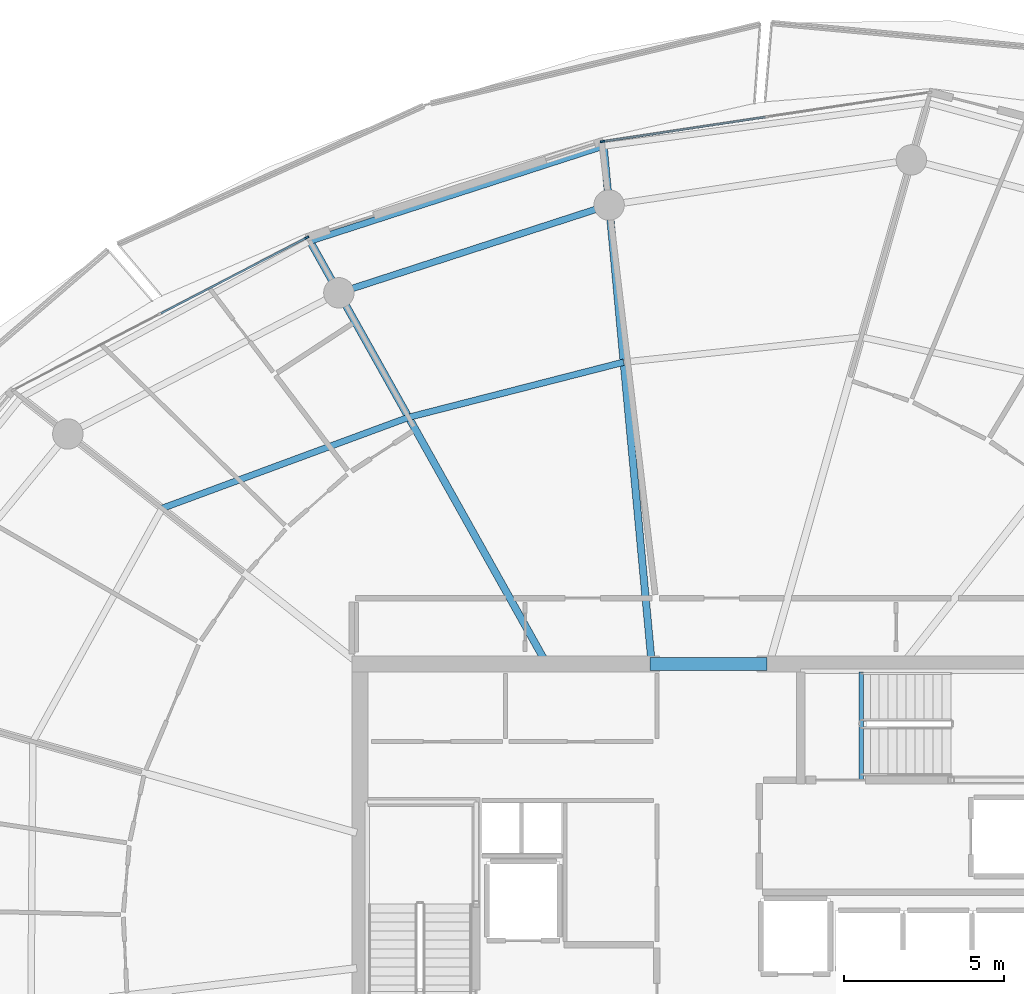
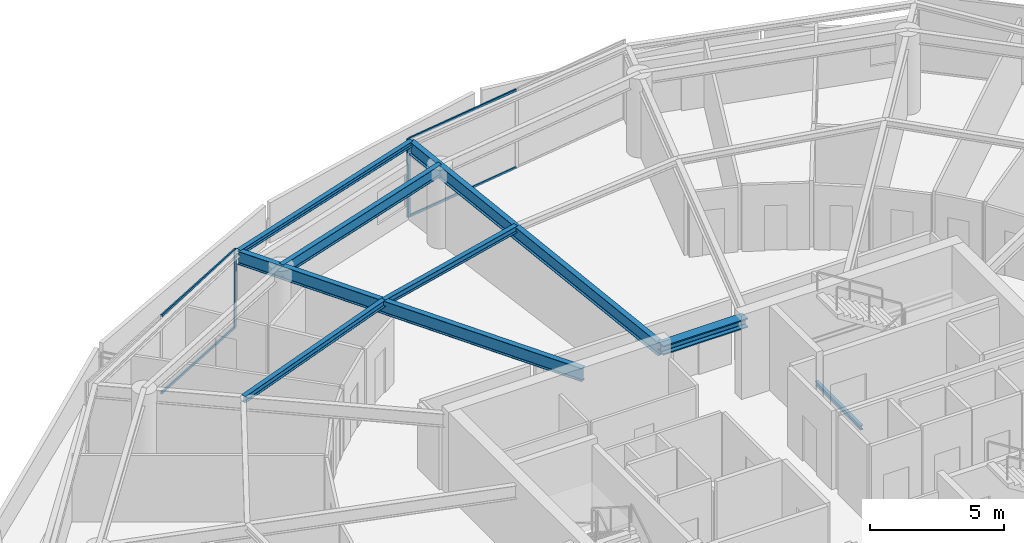
# One storey, part 13 of 30: 8 beams, 6 members, 2 elements without a shape of their own.
"""IFC4 building model written with IfcOpenShell, lengths in metres."""

from ifc_helpers import new_model, si_unit, direction, frame, origin, origin_2d, place, context, subcontext, project, spatial, rectangle, i_section, extrude, material, layer, layer_set, material_profile, profile_set, type_object, element, aggregate, save


model = new_model("IFC4")

# Units and contexts
model_context = context("Model", 3, precision=1e-05, world=origin(), true_north=direction((0.0, 1.0)))
body_context = subcontext(model_context, "Body", "Model", "MODEL_VIEW")
ifc_project = project(units=[si_unit("LENGTHUNIT", "METRE"), si_unit("AREAUNIT", "SQUARE_METRE"), si_unit("VOLUMEUNIT", "CUBIC_METRE"), si_unit("PLANEANGLEUNIT", "RADIAN"), si_unit("MASSUNIT", "GRAM", prefix="KILO")], contexts=[model_context])

# Site, building, storey
site_placement = place(None, origin())
site = spatial("IfcSite", under=ifc_project, at=site_placement, CompositionType="ELEMENT")
building_placement = place(site_placement, origin())
building = spatial("IfcBuilding", under=site, at=building_placement, Name="Kazma Halo Residences", CompositionType="ELEMENT")
storey_placement = place(building_placement, frame((0.0, 0.0, 279.050048828125)))
storey = spatial("IfcBuildingStorey", under=building, at=storey_placement, Name="L70", CompositionType="ELEMENT", Elevation=279.050048828125)

# Beams
ifc_material_1 = material(Name="Steel S355", Category="steel")
ifc_material_profile_1 = material_profile(ifc_material_1, i_section(OverallWidth=0.201904296875, OverallDepth=0.2470703125, WebThickness=0.00732421875, FlangeThickness=0.010986328125, FilletRadius=0.011962890625, at=origin_2d()), Name="W250x49.1")
ifc_profile_set_1 = profile_set([ifc_material_profile_1], Name="Steel S355")
beam_type_1 = type_object("IfcBeamType", Name="BM-BAL-CANT", PredefinedType="BEAM", material=ifc_profile_set_1)
beam_1_placement = place(storey_placement, frame((45.157470703125, 66.412841796875, 3.466552734375), z_axis=(-0.95136941054, -0.308052340826, 0.0), x_axis=(0.308052340826, -0.95136941054, 0.0)))
element("IfcBeam", 1, at=beam_1_placement, inside=storey, type_object=beam_type_1, Name="L70 wave-balcony tie beam 04", PredefinedType="BEAM", context=body_context, shape_type="SweptSolid", body=[
    extrude(i_section(OverallWidth=0.201904296875, OverallDepth=0.2470703125, WebThickness=0.00732421875, FlangeThickness=0.010986328125, FilletRadius=0.011962890625, at=origin_2d()), origin(), (0.0, 0.0, 1.0), 9.635498046875),
])
ifc_material_profile_2 = material_profile(ifc_material_1, i_section(OverallWidth=0.408935546875, OverallDepth=0.425048828125, WebThickness=0.03271484375, FlangeThickness=0.052490234375, FilletRadius=0.02001953125, at=origin_2d()), Name="W360x421")
ifc_profile_set_2 = profile_set([ifc_material_profile_2], Name="Steel S355")
beam_type_2 = type_object("IfcBeamType", Name="BM-CORE-W360H", PredefinedType="BEAM", material=ifc_profile_set_2)
beam_2_placement = place(storey_placement, frame((46.60009765625, 50.25, 3.37744140625), z_axis=(1.0, 0.0, 0.0), x_axis=(0.0, 1.0, 0.0)))
element("IfcBeam", 2, at=beam_2_placement, inside=storey, type_object=beam_type_2, Name="L70 core coupling beam N", PredefinedType="BEAM", context=body_context, shape_type="SweptSolid", body=[
    extrude(i_section(OverallWidth=0.408935546875, OverallDepth=0.425048828125, WebThickness=0.03271484375, FlangeThickness=0.052490234375, FilletRadius=0.02001953125, at=origin_2d()), origin(), (0.0, 0.0, 1.0), 3.64990234375),
])
ifc_material_profile_3 = material_profile(ifc_material_1, i_section(OverallWidth=0.22802734375, OverallDepth=0.60791015625, WebThickness=0.01123046875, FlangeThickness=0.017333984375, FilletRadius=0.01806640625, at=origin_2d()), Name="W610x113")
ifc_profile_set_3 = profile_set([ifc_material_profile_3], Name="Steel S355")
beam_type_3 = type_object("IfcBeamType", Name="BM-RAD-W610", PredefinedType="BEAM", material=ifc_profile_set_3)
beam_3_placement = place(storey_placement, frame((46.64990234375, 50.35009765625, 3.285888671875), z_axis=(-0.092514152003, 0.995711369664, 0.0), x_axis=(-0.995711369664, -0.092514152003, 0.0)))
element("IfcBeam", 3, at=beam_3_placement, inside=storey, type_object=beam_type_3, Name="L70 radial floor beam 04", PredefinedType="BEAM", context=body_context, shape_type="SweptSolid", body=[
    extrude(i_section(OverallWidth=0.22802734375, OverallDepth=0.60791015625, WebThickness=0.01123046875, FlangeThickness=0.017333984375, FilletRadius=0.01806640625, at=origin_2d()), origin(), (0.0, 0.0, 1.0), 16.1318359375),
])
beam_4_placement = place(storey_placement, frame((43.32373046875, 50.35009765625, 3.285888671875), z_axis=(-0.488620706085, 0.872496306918, 0.0), x_axis=(-0.872496306918, -0.488620706085, 0.0)))
element("IfcBeam", 4, at=beam_4_placement, inside=storey, type_object=beam_type_3, Name="L70 radial floor beam 05", PredefinedType="BEAM", context=body_context, shape_type="SweptSolid", body=[
    extrude(i_section(OverallWidth=0.22802734375, OverallDepth=0.60791015625, WebThickness=0.01123046875, FlangeThickness=0.017333984375, FilletRadius=0.01806640625, at=origin_2d()), origin(), (0.0, 0.0, 1.0), 15.008056640625),
])
ifc_material_profile_4 = material_profile(ifc_material_1, i_section(OverallWidth=0.202880859375, OverallDepth=0.302978515625, WebThickness=0.007568359375, FlangeThickness=0.01318359375, FilletRadius=0.013916015625, at=origin_2d()), Name="W310x60")
ifc_profile_set_4 = profile_set([ifc_material_profile_4], Name="Steel S355")
beam_type_4 = type_object("IfcBeamType", Name="BM-SEC-W310A", PredefinedType="JOIST", material=ifc_profile_set_4)
beam_5_placement = place(storey_placement, frame((45.7841796875, 59.66650390625, 3.4384765625), z_axis=(-0.968655607923, -0.248407554714, 0.0), x_axis=(0.248407554714, -0.968655607923, 0.0)))
element("IfcBeam", 5, at=beam_5_placement, inside=storey, type_object=beam_type_4, Name="L70 circumferential floor joist 04", PredefinedType="JOIST", context=body_context, shape_type="SweptSolid", body=[
    extrude(i_section(OverallWidth=0.202880859375, OverallDepth=0.302978515625, WebThickness=0.007568359375, FlangeThickness=0.01318359375, FilletRadius=0.013916015625, at=origin_2d()), origin(), (0.0, 0.0, 1.0), 6.930908203125),
])
beam_6_placement = place(storey_placement, frame((39.070556640625, 57.94482421875, 3.4384765625), z_axis=(-0.938068342894, -0.346450262029, 0.0), x_axis=(0.346450262029, -0.938068342894, 0.0)))
element("IfcBeam", 6, at=beam_6_placement, inside=storey, type_object=beam_type_4, Name="L70 circumferential floor joist 05", PredefinedType="JOIST", context=body_context, shape_type="SweptSolid", body=[
    extrude(i_section(OverallWidth=0.202880859375, OverallDepth=0.302978515625, WebThickness=0.007568359375, FlangeThickness=0.01318359375, FilletRadius=0.013916015625, at=origin_2d()), origin(), (0.0, 0.0, 1.0), 8.200439453125),
])
ifc_material_profile_5 = material_profile(ifc_material_1, i_section(OverallWidth=0.208984375, OverallDepth=0.532958984375, WebThickness=0.01025390625, FlangeThickness=0.015625, FilletRadius=0.01611328125, at=origin_2d()), Name="W530x92")
ifc_profile_set_5 = profile_set([ifc_material_profile_5], Name="Steel S355")
beam_type_5 = type_object("IfcBeamType", Name="BM-SPN-W530", PredefinedType="BEAM", material=ifc_profile_set_5)
beam_7_placement = place(storey_placement, frame((45.32861328125, 64.57080078125, 3.323486328125), z_axis=(-0.951053893407, -0.309025066679, 0.0), x_axis=(0.309025066679, -0.951053893407, 0.0)))
element("IfcBeam", 7, at=beam_7_placement, inside=storey, type_object=beam_type_5, Name="L70 perimeter ring beam 04", PredefinedType="BEAM", context=body_context, shape_type="SweptSolid", body=[
    extrude(i_section(OverallWidth=0.208984375, OverallDepth=0.532958984375, WebThickness=0.01025390625, FlangeThickness=0.015625, FilletRadius=0.01611328125, at=origin_2d()), origin(), (0.0, 0.0, 1.0), 8.8681640625),
])
ifc_material_profile_6 = material_profile(ifc_material_1, i_section(OverallWidth=0.133056640625, OverallDepth=0.20703125, WebThickness=0.005859375, FlangeThickness=0.00830078125, FilletRadius=0.010009765625, at=origin_2d()), Name="W200x26.6")
ifc_profile_set_6 = profile_set([ifc_material_profile_6], Name="Steel S355")
beam_type_6 = type_object("IfcBeamType", Name="BM-TRIM-W200", PredefinedType="BEAM", material=ifc_profile_set_6)
beam_8_placement = place(storey_placement, frame((53.199951171875, 46.6201171875, -0.3701171875), z_axis=(0.0, 1.0, 0.0), x_axis=(-1.0, 0.0, 0.0)))
element("IfcBeam", 8, at=beam_8_placement, inside=storey, type_object=beam_type_6, Name="L70 ST-02 floor landing support beam", PredefinedType="BEAM", context=body_context, shape_type="SweptSolid", body=[
    extrude(i_section(OverallWidth=0.133056640625, OverallDepth=0.20703125, WebThickness=0.005859375, FlangeThickness=0.00830078125, FilletRadius=0.010009765625, at=origin_2d()), origin(), (0.0, 0.0, 1.0), 3.3798828125),
])

# Curtain wall, member
ifc_material_2 = material(Name="Aluminium AW-6063 T6 and Triple-Silver Low-E Glass", Category="aluminium")
ifc_layer = layer(ifc_material_2, 0.139892578125)
ifc_layer_set = layer_set([ifc_layer], Name="Aluminium AW-6063 T6 and Triple-Silver Low-E Glass")
curtain_wall_type = type_object("IfcCurtainWallType", Name="CW-SYS-5", PredefinedType="NOTDEFINED", material=ifc_layer_set)
curtain_wall_1_placement = place(storey_placement, origin())
curtain_wall_1 = element("IfcCurtainWall", 9, at=curtain_wall_1_placement, inside=storey, type_object=curtain_wall_type, Name="L70 unitised curtain wall B03", PredefinedType="NOTDEFINED")
ifc_material_3 = material(Name="Aluminium AW-6063 T6", Category="aluminium")
ifc_material_profile_7 = material_profile(ifc_material_3, rectangle(XDim=0.06005859375, YDim=0.139892578125, at=origin_2d()), Name="CWM-60x140")
ifc_profile_set_7 = profile_set([ifc_material_profile_7], Name="Aluminium AW-6063 T6")
member_type_1 = type_object("IfcMemberType", Name="CW-SYS-5-MUL", PredefinedType="MULLION", material=ifc_profile_set_7)
member_1_placement = place(storey_placement, frame((45.124267578125, 66.552734375, 0.0), z_axis=(0.0, 0.0, 1.0), x_axis=(0.148697080374, -0.988882792998, 0.0)))
member_1 = element("IfcMember", 10, at=member_1_placement, type_object=member_type_1, Name="CWS-5 mullion 3", PredefinedType="MULLION", context=body_context, shape_type="SweptSolid", body=[
    extrude(rectangle(XDim=0.06005859375, YDim=0.139892578125, at=origin_2d()), origin(), (0.0, 0.0, 1.0), 3.58984375),
])

curtain_wall_2_placement = place(storey_placement, origin())
curtain_wall_2 = element("IfcCurtainWall", 11, at=curtain_wall_2_placement, inside=storey, type_object=curtain_wall_type, Name="L70 unitised curtain wall B05", PredefinedType="NOTDEFINED")
member_2_placement = place(storey_placement, frame((35.894775390625, 63.553955078125, 0.0), z_axis=(0.0, 0.0, 1.0), x_axis=(0.460960760804, -0.887420518694, 0.0)))
member_2 = element("IfcMember", 12, at=member_2_placement, type_object=member_type_1, Name="CWS-5 mullion 1", PredefinedType="MULLION", context=body_context, shape_type="SweptSolid", body=[
    extrude(rectangle(XDim=0.06005859375, YDim=0.139892578125, at=origin_2d()), origin(), (0.0, 0.0, 1.0), 3.58984375),
])

# Member
ifc_material_profile_8 = material_profile(ifc_material_3, rectangle(XDim=0.06005859375, YDim=0.10498046875, at=origin_2d()), Name="CWT-60x105")
ifc_profile_set_8 = profile_set([ifc_material_profile_8], Name="Aluminium AW-6063 T6")
member_type_2 = type_object("IfcMemberType", Name="CW-SYS-5-TRN", PredefinedType="USERDEFINED", material=ifc_profile_set_8)
member_3_placement = place(storey_placement, frame((50.19677734375, 67.3154296875, 0.030029296875), z_axis=(-0.988882913569, -0.148696278541, 0.0), x_axis=(0.148696278541, -0.988882913569, 0.0)))
member_3 = element("IfcMember", 13, at=member_3_placement, type_object=member_type_2, Name="CWS-5 transom 2.1", ObjectType="TRANSOM", PredefinedType="USERDEFINED", context=body_context, shape_type="SweptSolid", body=[
    extrude(rectangle(XDim=0.06005859375, YDim=0.10498046875, at=origin_2d()), origin(), (0.0, 0.0, 1.0), 5.099609375),
])

member_4_placement = place(storey_placement, frame((50.19677734375, 67.3154296875, 3.56005859375), z_axis=(-0.988882913569, -0.148696278541, 0.0), x_axis=(0.148696278541, -0.988882913569, 0.0)))
member_4 = element("IfcMember", 14, at=member_4_placement, type_object=member_type_2, Name="CWS-5 transom 2.2", ObjectType="TRANSOM", PredefinedType="USERDEFINED", context=body_context, shape_type="SweptSolid", body=[
    extrude(rectangle(XDim=0.06005859375, YDim=0.10498046875, at=origin_2d()), origin(), (0.0, 0.0, 1.0), 5.099609375),
])

aggregate(curtain_wall_1, [member_1, member_3, member_4])

member_5_placement = place(storey_placement, frame((35.8681640625, 63.5400390625, 0.030029296875), z_axis=(-0.887436955863, -0.46092911534, 0.0), x_axis=(0.46092911534, -0.887436955863, 0.0)))
member_5 = element("IfcMember", 15, at=member_5_placement, type_object=member_type_2, Name="CWS-5 transom 1.1", ObjectType="TRANSOM", PredefinedType="USERDEFINED", context=body_context, shape_type="SweptSolid", body=[
    extrude(rectangle(XDim=0.06005859375, YDim=0.10498046875, at=origin_2d()), origin(), (0.0, 0.0, 1.0), 5.099609375),
])

member_6_placement = place(storey_placement, frame((35.8681640625, 63.5400390625, 3.56005859375), z_axis=(-0.887436955863, -0.46092911534, 0.0), x_axis=(0.46092911534, -0.887436955863, 0.0)))
member_6 = element("IfcMember", 16, at=member_6_placement, type_object=member_type_2, Name="CWS-5 transom 1.2", ObjectType="TRANSOM", PredefinedType="USERDEFINED", context=body_context, shape_type="SweptSolid", body=[
    extrude(rectangle(XDim=0.06005859375, YDim=0.10498046875, at=origin_2d()), origin(), (0.0, 0.0, 1.0), 5.099609375),
])

aggregate(curtain_wall_2, [member_2, member_5, member_6])

save(model, "model.ifc")
